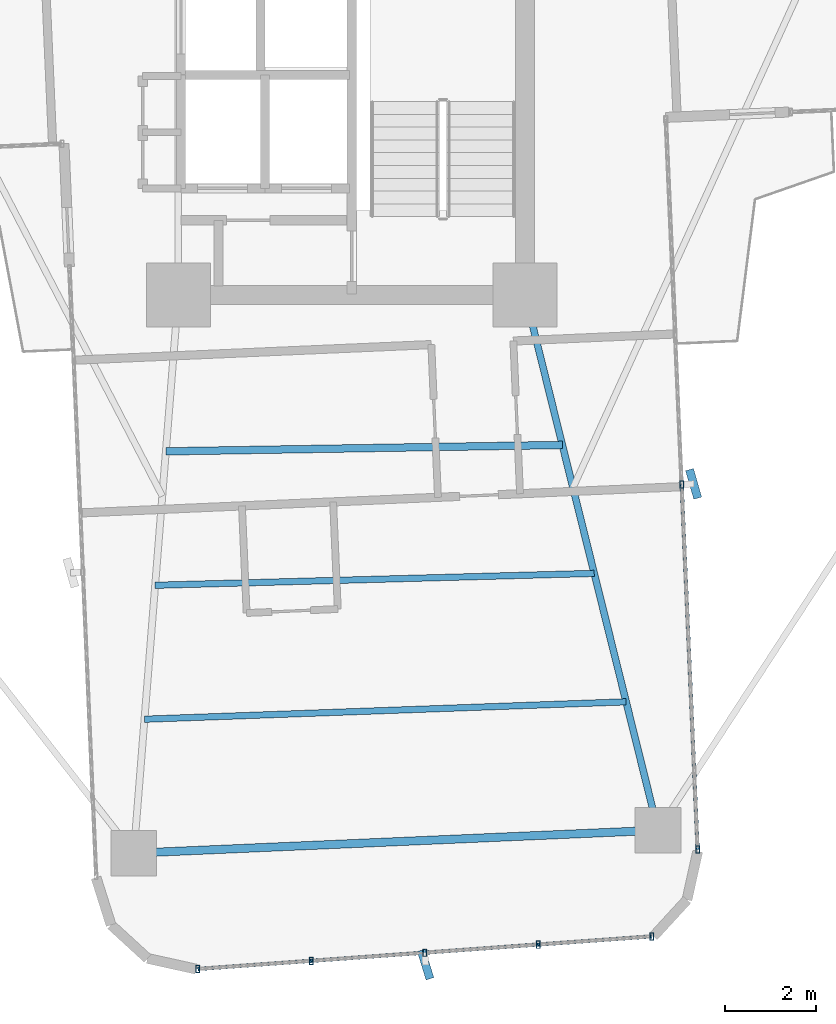
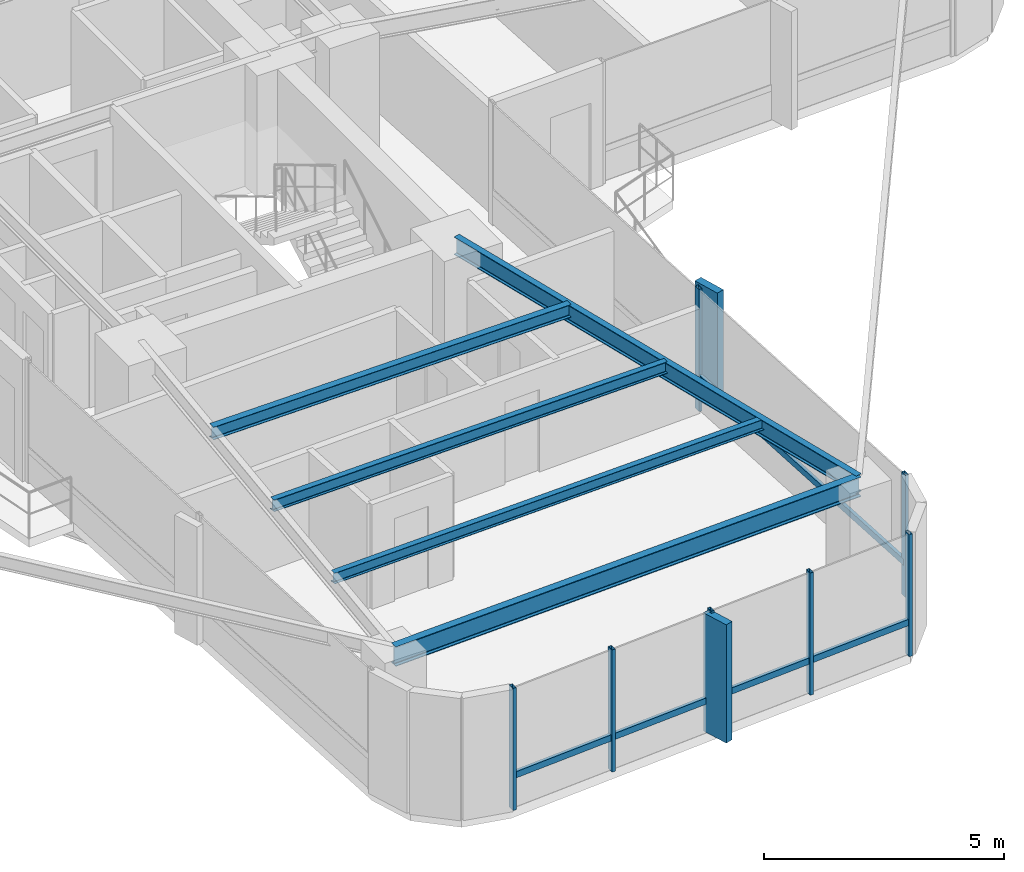
# One storey, part 6 of 26: 14 members, 5 beams, 2 elements without a shape of their own.
"""IFC4 building model written with IfcOpenShell, lengths in metres."""

from ifc_helpers import new_model, si_unit, direction, frame, origin, origin_2d, place, context, subcontext, project, spatial, rectangle, hollow_rectangle, i_section, extrude, source, transform, mapped, material, material_profile, profile_set, type_object, element, aggregate, save


model = new_model("IFC4")

# Units and contexts
model_context = context("Model", 3, precision=1e-05, world=origin(), true_north=direction((0.0, 1.0)))
body_context = subcontext(model_context, "Body", "Model", "MODEL_VIEW")
ifc_project = project(units=[si_unit("LENGTHUNIT", "METRE"), si_unit("AREAUNIT", "SQUARE_METRE"), si_unit("VOLUMEUNIT", "CUBIC_METRE"), si_unit("PLANEANGLEUNIT", "RADIAN"), si_unit("MASSUNIT", "GRAM", prefix="KILO")], contexts=[model_context])

# Site, building, storey
site_placement = place(None, origin())
site = spatial("IfcSite", under=ifc_project, at=site_placement, CompositionType="ELEMENT")
building_placement = place(site_placement, origin())
building = spatial("IfcBuilding", under=site, at=building_placement, Name="Sahyath Konkavel Grand Hotel", CompositionType="ELEMENT")
storey_placement = place(building_placement, frame((0.0, 0.0, 93.550048828125)))
storey = spatial("IfcBuildingStorey", under=building, at=storey_placement, Name="L25", CompositionType="ELEMENT", Elevation=93.550048828125)

# Beams
ifc_material_1 = material(Name="Steel E350", Category="steel")
ifc_material_profile_1 = material_profile(ifc_material_1, i_section(OverallWidth=0.14990234375, OverallDepth=0.449951171875, WebThickness=0.009521484375, FlangeThickness=0.017333984375, FilletRadius=0.014892578125, at=origin_2d()), Name="ISMB 450")
ifc_profile_set_1 = profile_set([ifc_material_profile_1], Name="Steel E350")
beam_type_1 = type_object("IfcBeamType", Name="BM-ISMB450", PredefinedType="BEAM", material=ifc_profile_set_1)
shared_shape_1 = source(origin(), body_context, "Body", "SweptSolid", [
    extrude(i_section(OverallWidth=0.14990234375, OverallDepth=0.449951171875, WebThickness=0.009521484375, FlangeThickness=0.017333984375, FilletRadius=0.014892578125, at=origin_2d()), origin(), (0.0, 0.0, 1.0), 12.084228515625),
])
beam_1_placement = place(storey_placement, frame((3.800048828125, -10.199951171875, 2.885009765625), z_axis=(0.241042688481, -0.970514514229, 0.0), x_axis=(0.970514514229, 0.241042688481, 0.0)))
element("IfcBeam", 1, at=beam_1_placement, inside=storey, type_object=beam_type_1, Name="L25 Cruciform Radial Girder SB", PredefinedType="BEAM", context=body_context, shape_type="MappedRepresentation", body=[
    mapped(shared_shape_1, transform((0.0, 0.0, 0.0), scale=1.0)),
])
ifc_material_profile_2 = material_profile(ifc_material_1, i_section(OverallWidth=0.179931640625, OverallDepth=0.5, WebThickness=0.01025390625, FlangeThickness=0.01708984375, FilletRadius=0.01708984375, at=origin_2d()), Name="ISMB 500")
ifc_profile_set_2 = profile_set([ifc_material_profile_2], Name="Steel E350")
beam_type_2 = type_object("IfcBeamType", Name="BM-ISMB500", PredefinedType="BEAM", material=ifc_profile_set_2)
shared_shape_2 = source(origin(), body_context, "Body", "SweptSolid", [
    extrude(i_section(OverallWidth=0.179931640625, OverallDepth=0.5, WebThickness=0.01025390625, FlangeThickness=0.01708984375, FilletRadius=0.01708984375, at=origin_2d()), origin(), (0.0, 0.0, 1.0), 11.5),
])
beam_2_placement = place(storey_placement, frame((-4.776123046875, -22.4296875, 2.85986328125), z_axis=(0.99904788879, 0.043627008892, 0.0), x_axis=(-0.043627008892, 0.99904788879, 0.0)))
element("IfcBeam", 2, at=beam_2_placement, inside=storey, type_object=beam_type_2, Name="L25 Wing Tip Edge Beam S", PredefinedType="BEAM", context=body_context, shape_type="MappedRepresentation", body=[
    mapped(shared_shape_2, transform((0.0, 0.0, 0.0), scale=1.0)),
])
ifc_material_profile_3 = material_profile(ifc_material_1, i_section(OverallWidth=0.1650390625, OverallDepth=0.324951171875, WebThickness=0.007080078125, FlangeThickness=0.009765625, FilletRadius=0.014892578125, at=origin_2d()), Name="ISLB 325")
ifc_profile_set_3 = profile_set([ifc_material_profile_3], Name="Steel E350")
beam_type_3 = type_object("IfcBeamType", Name="BM-ISLB325", PredefinedType="BEAM", material=ifc_profile_set_3)
shared_shape_3 = source(origin(), body_context, "Body", "SweptSolid", [
    extrude(i_section(OverallWidth=0.1650390625, OverallDepth=0.324951171875, WebThickness=0.007080078125, FlangeThickness=0.009765625, FilletRadius=0.014892578125, at=origin_2d()), origin(), (0.0, 0.0, 1.0), 8.68994140625),
])
beam_3_placement = place(storey_placement, frame((-4.0732421875, -13.624267578125, 2.947509765625), z_axis=(0.999869506431, 0.016154569283, 0.0), x_axis=(-0.016154569283, 0.999869506431, 0.0)))
element("IfcBeam", 3, at=beam_3_placement, inside=storey, type_object=beam_type_3, Name="L25 Secondary Floor Beam S-1", PredefinedType="BEAM", context=body_context, shape_type="MappedRepresentation", body=[
    mapped(shared_shape_3, transform((0.0, 0.0, 0.0), scale=1.0)),
])
ifc_material_profile_4 = material_profile(ifc_material_1, i_section(OverallWidth=0.139892578125, OverallDepth=0.300048828125, WebThickness=0.0078125, FlangeThickness=0.01318359375, FilletRadius=0.013916015625, at=origin_2d()), Name="ISMB 300")
ifc_profile_set_4 = profile_set([ifc_material_profile_4], Name="Steel E350")
beam_type_4 = type_object("IfcBeamType", Name="BM-ISMB300", PredefinedType="BEAM", material=ifc_profile_set_4)
shared_shape_4 = source(origin(), body_context, "Body", "SweptSolid", [
    extrude(i_section(OverallWidth=0.139892578125, OverallDepth=0.300048828125, WebThickness=0.0078125, FlangeThickness=0.01318359375, FilletRadius=0.013916015625, at=origin_2d()), origin(), (0.0, 0.0, 1.0), 9.625732421875),
])
beam_4_placement = place(storey_placement, frame((-4.3076171875, -16.559326171875, 2.9599609375), z_axis=(0.999633060528, 0.027087714933, 0.0), x_axis=(-0.027087714933, 0.999633060528, 0.0)))
element("IfcBeam", 4, at=beam_4_placement, inside=storey, type_object=beam_type_4, Name="L25 Secondary Floor Beam S-2", PredefinedType="BEAM", context=body_context, shape_type="MappedRepresentation", body=[
    mapped(shared_shape_4, transform((0.0, 0.0, 0.0), scale=1.0)),
])
ifc_material_profile_5 = material_profile(ifc_material_1, i_section(OverallWidth=0.139892578125, OverallDepth=0.27490234375, WebThickness=0.00634765625, FlangeThickness=0.0087890625, FilletRadius=0.012939453125, at=origin_2d()), Name="ISLB 275")
ifc_profile_set_5 = profile_set([ifc_material_profile_5], Name="Steel E350")
beam_type_5 = type_object("IfcBeamType", Name="BM-ISLB275", PredefinedType="BEAM", material=ifc_profile_set_5)
shared_shape_5 = source(origin(), body_context, "Body", "SweptSolid", [
    extrude(i_section(OverallWidth=0.139892578125, OverallDepth=0.27490234375, WebThickness=0.00634765625, FlangeThickness=0.0087890625, FilletRadius=0.012939453125, at=origin_2d()), origin(), (0.0, 0.0, 1.0), 10.562744140625),
])
beam_5_placement = place(storey_placement, frame((-4.5419921875, -19.49462890625, 2.972412109375), z_axis=(0.999348077295, 0.036102914095, 0.0), x_axis=(-0.036102914095, 0.999348077295, 0.0)))
element("IfcBeam", 5, at=beam_5_placement, inside=storey, type_object=beam_type_5, Name="L25 Secondary Floor Beam S-3", PredefinedType="BEAM", context=body_context, shape_type="MappedRepresentation", body=[
    mapped(shared_shape_5, transform((0.0, 0.0, 0.0), scale=1.0)),
])

# Curtain wall, members
ifc_material_2 = material(Name="Anodised Bronze Aluminium & Low-E Glazing", Category="aluminium")
curtain_wall_type = type_object("IfcCurtainWallType", Name="CW-ZONE2", PredefinedType="NOTDEFINED", material=ifc_material_2)
curtain_wall_1_placement = place(storey_placement, origin())
curtain_wall_1 = element("IfcCurtainWall", 6, at=curtain_wall_1_placement, inside=storey, type_object=curtain_wall_type, Name="L25 Unitised Curtain Wall F28", PredefinedType="NOTDEFINED")
ifc_material_3 = material(Name="Anodised Bronze Aluminium", Category="aluminium")
ifc_material_profile_6 = material_profile(ifc_material_3, hollow_rectangle(XDim=0.080078125, YDim=0.159912109375, WallThickness=0.006103515625, at=origin_2d()), Name="RHS 160x80x6")
ifc_profile_set_6 = profile_set([ifc_material_profile_6], Name="Anodised Bronze Aluminium")
member_type_1 = type_object("IfcMemberType", Name="CW-MUL-160", PredefinedType="MULLION", material=ifc_profile_set_6)
shared_shape_6 = source(origin(), body_context, "Body", "SweptSolid", [
    extrude(hollow_rectangle(XDim=0.080078125, YDim=0.159912109375, WallThickness=0.006103515625, at=origin_2d()), origin(), (0.0, 0.0, 1.0), 3.10986328125),
])
member_1_placement = place(storey_placement, frame((-3.3740234375, -24.9697265625, 0.0), z_axis=(0.0, 0.0, 1.0), x_axis=(1.0, 0.0, 0.0)))
member_1 = element("IfcMember", 7, at=member_1_placement, type_object=member_type_1, Name="L25 Curtain Wall Mullion F28-0", PredefinedType="MULLION", context=body_context, shape_type="MappedRepresentation", body=[
    mapped(shared_shape_6, transform((0.0, 0.0, 0.0), scale=1.0)),
])
member_2_placement = place(storey_placement, frame((-0.886962890625, -24.79150390625, 0.0), z_axis=(0.0, 0.0, 1.0), x_axis=(1.0, 0.0, 0.0)))
member_2 = element("IfcMember", 8, at=member_2_placement, type_object=member_type_1, Name="L25 Curtain Wall Mullion F28-1", PredefinedType="MULLION", context=body_context, shape_type="MappedRepresentation", body=[
    mapped(shared_shape_6, transform((0.0, 0.0, 0.0), scale=1.0)),
])
member_3_placement = place(storey_placement, frame((1.60009765625, -24.61279296875, 0.0), z_axis=(0.0, 0.0, 1.0), x_axis=(1.0, 0.0, 0.0)))
member_3 = element("IfcMember", 9, at=member_3_placement, type_object=member_type_1, Name="L25 Curtain Wall Mullion F28-2", PredefinedType="MULLION", context=body_context, shape_type="MappedRepresentation", body=[
    mapped(shared_shape_6, transform((0.0, 0.0, 0.0), scale=1.0)),
])
member_4_placement = place(storey_placement, frame((4.087158203125, -24.4345703125, 0.0), z_axis=(0.0, 0.0, 1.0), x_axis=(1.0, 0.0, 0.0)))
member_4 = element("IfcMember", 10, at=member_4_placement, type_object=member_type_1, Name="L25 Curtain Wall Mullion F28-3", PredefinedType="MULLION", context=body_context, shape_type="MappedRepresentation", body=[
    mapped(shared_shape_6, transform((0.0, 0.0, 0.0), scale=1.0)),
])
member_5_placement = place(storey_placement, frame((6.57421875, -24.256103515625, 0.0), z_axis=(0.0, 0.0, 1.0), x_axis=(1.0, 0.0, 0.0)))
member_5 = element("IfcMember", 11, at=member_5_placement, type_object=member_type_1, Name="L25 Curtain Wall Mullion F28-4", PredefinedType="MULLION", context=body_context, shape_type="MappedRepresentation", body=[
    mapped(shared_shape_6, transform((0.0, 0.0, 0.0), scale=1.0)),
])

curtain_wall_2_placement = place(storey_placement, origin())
curtain_wall_2 = element("IfcCurtainWall", 12, at=curtain_wall_2_placement, inside=storey, type_object=curtain_wall_type, Name="L25 Unitised Curtain Wall F31", PredefinedType="NOTDEFINED")
member_6_placement = place(storey_placement, frame((7.582275390625, -22.3505859375, 0.0), z_axis=(0.0, 0.0, 1.0), x_axis=(1.0, 0.0, 0.0)))
member_6 = element("IfcMember", 13, at=member_6_placement, type_object=member_type_1, Name="L25 Curtain Wall Mullion F31-0", PredefinedType="MULLION", context=body_context, shape_type="MappedRepresentation", body=[
    mapped(shared_shape_6, transform((0.0, 0.0, 0.0), scale=1.0)),
])
member_7_placement = place(storey_placement, frame((7.232666015625, -14.34814453125, 0.0), z_axis=(0.0, 0.0, 1.0), x_axis=(1.0, 0.0, 0.0)))
member_7 = element("IfcMember", 14, at=member_7_placement, type_object=member_type_1, Name="L25 Curtain Wall Mullion F31-1", PredefinedType="MULLION", context=body_context, shape_type="MappedRepresentation", body=[
    mapped(shared_shape_6, transform((0.0, 0.0, 0.0), scale=1.0)),
])

# Member
ifc_material_4 = material(Name="Warm Buff Sandstone Cladding on Concrete C50/60", Category="masonry")
ifc_material_profile_7 = material_profile(ifc_material_4, rectangle(XDim=0.179931640625, YDim=0.64990234375, at=origin_2d()), Name="FIN 180x650")
ifc_profile_set_7 = profile_set([ifc_material_profile_7], Name="Warm Buff Sandstone Cladding on Concrete C50/60")
member_type_2 = type_object("IfcMemberType", Name="FIN-SANDSTONE-650", PredefinedType="MULLION", material=ifc_profile_set_7)
shared_shape_7 = source(origin(), body_context, "Body", "SweptSolid", [
    extrude(rectangle(XDim=0.179931640625, YDim=0.64990234375, at=origin_2d()), origin(), (0.0, 0.0, 1.0), 3.010009765625),
])
member_8_placement = place(storey_placement, frame((1.61865234375, -24.872314453125, 0.050048828125), z_axis=(0.0, 0.0, 1.0), x_axis=(0.955690317134, 0.294373942013, 0.0)))
member_8 = element("IfcMember", 15, at=member_8_placement, type_object=member_type_2, Name="L25 Sandstone Vertical Solar Fin FIN F28-2", PredefinedType="MULLION", context=body_context, shape_type="MappedRepresentation", body=[
    mapped(shared_shape_7, transform((0.0, 0.0, 0.0), scale=1.0)),
])

member_9_placement = place(storey_placement, frame((7.492431640625, -14.3369140625, 0.050048828125), z_axis=(0.0, 0.0, 1.0), x_axis=(0.961069030524, 0.276308375854, 0.0)))
member_9 = element("IfcMember", 16, at=member_9_placement, type_object=member_type_2, Name="L25 Sandstone Vertical Solar Fin FIN F31-1", PredefinedType="MULLION", context=body_context, shape_type="MappedRepresentation", body=[
    mapped(shared_shape_7, transform((0.0, 0.0, 0.0), scale=1.0)),
])

ifc_material_profile_8 = material_profile(ifc_material_3, hollow_rectangle(XDim=0.080078125, YDim=0.159912109375, WallThickness=0.006103515625, at=origin_2d()), Name="RHS 160x80x6")
ifc_profile_set_8 = profile_set([ifc_material_profile_8], Name="Anodised Bronze Aluminium")
member_type_3 = type_object("IfcMemberType", Name="CW-TRN-160", PredefinedType="USERDEFINED", material=ifc_profile_set_8)
shared_shape_8 = source(origin(), body_context, "Body", "SweptSolid", [
    extrude(hollow_rectangle(XDim=0.080078125, YDim=0.159912109375, WallThickness=0.006103515625, at=origin_2d()), origin(), (0.0, 0.0, 1.0), 2.493408203125),
])
member_10_placement = place(storey_placement, frame((-3.3740234375, -24.9697265625, 0.849853515625), z_axis=(0.997442271688, 0.071476672066, 0.0), x_axis=(-0.071476672066, 0.997442271688, 0.0)))
member_10 = element("IfcMember", 17, at=member_10_placement, type_object=member_type_3, Name="L25 Curtain Wall Transom F28-0-spandrel", ObjectType="TRANSOM", PredefinedType="USERDEFINED", context=body_context, shape_type="MappedRepresentation", body=[
    mapped(shared_shape_8, transform((0.0, 0.0, 0.0), scale=1.0)),
])

member_11_placement = place(storey_placement, frame((-0.886962890625, -24.79150390625, 0.849853515625), z_axis=(0.997428291631, 0.071671494009, 0.0), x_axis=(-0.071671494009, 0.997428291631, 0.0)))
member_11 = element("IfcMember", 18, at=member_11_placement, type_object=member_type_3, Name="L25 Curtain Wall Transom F28-1-spandrel", ObjectType="TRANSOM", PredefinedType="USERDEFINED", context=body_context, shape_type="MappedRepresentation", body=[
    mapped(shared_shape_8, transform((0.0, 0.0, 0.0), scale=1.0)),
])

member_12_placement = place(storey_placement, frame((1.60009765625, -24.61279296875, 0.849853515625), z_axis=(0.997442271688, 0.071476672066, 0.0), x_axis=(-0.071476672066, 0.997442271688, 0.0)))
member_12 = element("IfcMember", 19, at=member_12_placement, type_object=member_type_3, Name="L25 Curtain Wall Transom F28-2-spandrel", ObjectType="TRANSOM", PredefinedType="USERDEFINED", context=body_context, shape_type="MappedRepresentation", body=[
    mapped(shared_shape_8, transform((0.0, 0.0, 0.0), scale=1.0)),
])

member_13_placement = place(storey_placement, frame((4.087158203125, -24.4345703125, 0.849853515625), z_axis=(0.997435286367, 0.071574084062, 0.0), x_axis=(-0.071574084062, 0.997435286367, 0.0)))
member_13 = element("IfcMember", 20, at=member_13_placement, type_object=member_type_3, Name="L25 Curtain Wall Transom F28-3-spandrel", ObjectType="TRANSOM", PredefinedType="USERDEFINED", context=body_context, shape_type="MappedRepresentation", body=[
    mapped(shared_shape_8, transform((0.0, 0.0, 0.0), scale=1.0)),
])

aggregate(curtain_wall_1, [member_1, member_2, member_3, member_8, member_4, member_5, member_10, member_11, member_12, member_13])

shared_shape_9 = source(origin(), body_context, "Body", "SweptSolid", [
    extrude(hollow_rectangle(XDim=0.080078125, YDim=0.159912109375, WallThickness=0.006103515625, at=origin_2d()), origin(), (0.0, 0.0, 1.0), 8.010009765625),
])
member_14_placement = place(storey_placement, frame((7.582275390625, -22.3505859375, 0.849853515625), z_axis=(-0.043646207089, 0.999047050247, 0.0), x_axis=(-0.999047050247, -0.043646207089, 0.0)))
member_14 = element("IfcMember", 21, at=member_14_placement, type_object=member_type_3, Name="L25 Curtain Wall Transom F31-0-spandrel", ObjectType="TRANSOM", PredefinedType="USERDEFINED", context=body_context, shape_type="MappedRepresentation", body=[
    mapped(shared_shape_9, transform((0.0, 0.0, 0.0), scale=1.0)),
])

aggregate(curtain_wall_2, [member_6, member_7, member_9, member_14])

save(model, "model.ifc")
